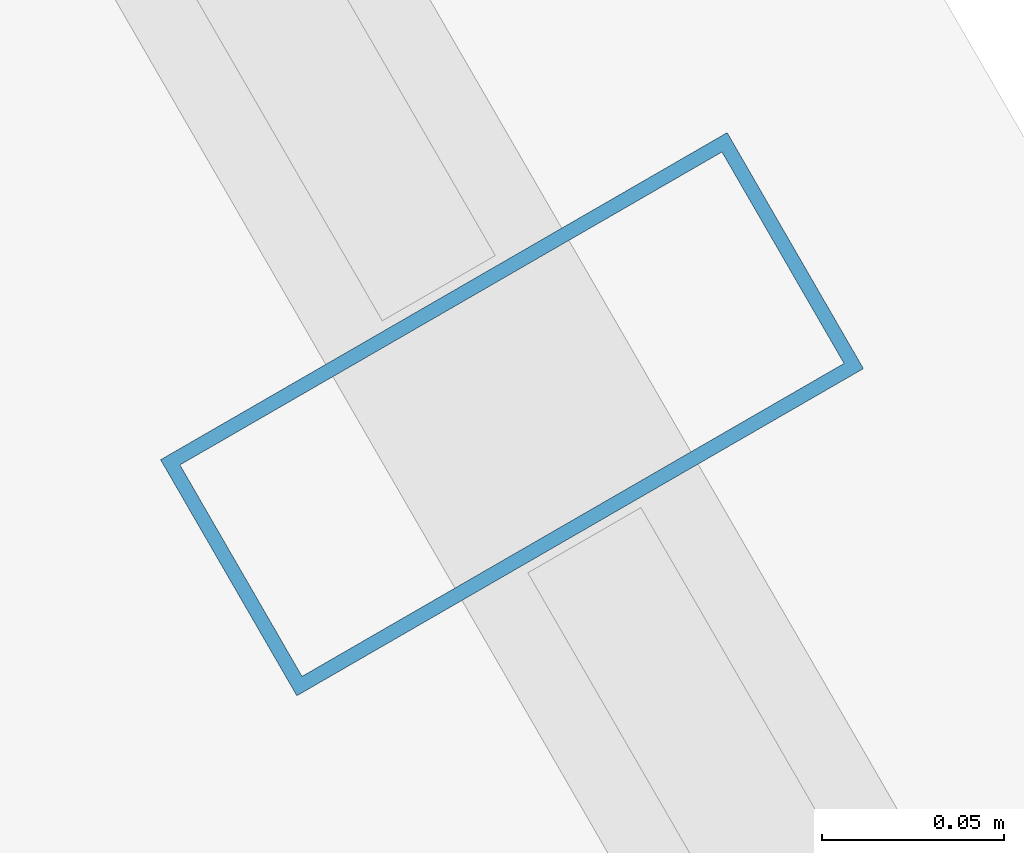
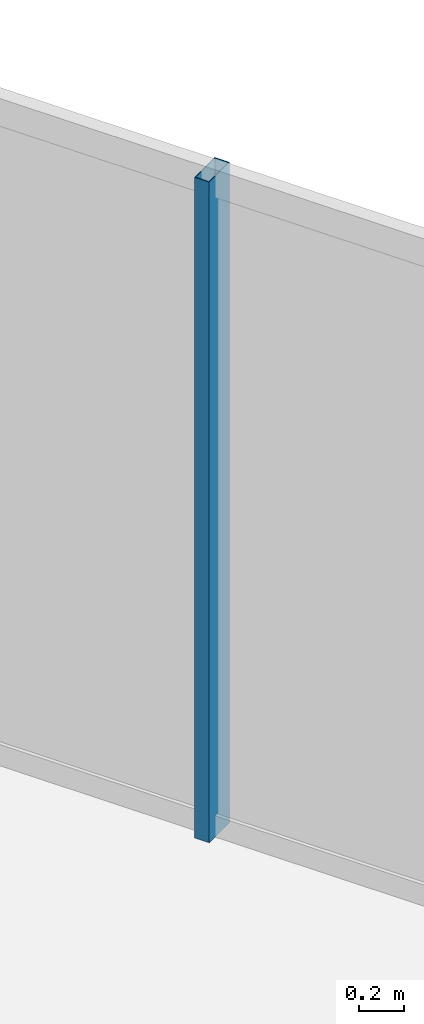
# One storey, part 20 of 33: 1 member, 1 element without a shape of its own.
"""IFC4 building model written with IfcOpenShell, lengths in metres."""

from ifc_helpers import new_model, si_unit, direction, frame, origin, origin_2d, place, context, subcontext, project, spatial, hollow_rectangle, extrude, material, layer, layer_set, material_profile, profile_set, type_object, element, aggregate, save


model = new_model("IFC4")

# Units and contexts
model_context = context("Model", 3, precision=1e-05, world=origin(), true_north=direction((0.0, 1.0)))
body_context = subcontext(model_context, "Body", "Model", "MODEL_VIEW")
ifc_project = project(units=[si_unit("LENGTHUNIT", "METRE"), si_unit("AREAUNIT", "SQUARE_METRE"), si_unit("VOLUMEUNIT", "CUBIC_METRE"), si_unit("PLANEANGLEUNIT", "RADIAN"), si_unit("MASSUNIT", "GRAM", prefix="KILO")], contexts=[model_context])

# Site, building, storey
site_placement = place(None, origin())
site = spatial("IfcSite", under=ifc_project, at=site_placement, CompositionType="ELEMENT")
building_placement = place(site_placement, origin())
building = spatial("IfcBuilding", under=site, at=building_placement, Name="Ndaravel Arena Tower", CompositionType="ELEMENT")
storey_placement = place(building_placement, frame((0.0, 0.0, 153.60009765625)))
storey = spatial("IfcBuildingStorey", under=building, at=storey_placement, Name="L36", CompositionType="ELEMENT", Elevation=153.60009765625)

# Curtain wall, member
ifc_material_1 = material(Name="Aluminium", Category="aluminium")
ifc_layer = layer(ifc_material_1, 0.179931640625)
ifc_layer_set = layer_set([ifc_layer], Name="Aluminium")
curtain_wall_type = type_object("IfcCurtainWallType", Name="CW-SYS-03", PredefinedType="NOTDEFINED", material=ifc_layer_set)
curtain_wall_placement = place(storey_placement, origin())
curtain_wall = element("IfcCurtainWall", 1, at=curtain_wall_placement, inside=storey, type_object=curtain_wall_type, Name="L36 Faceted Crystal Curtain Wall CW-L36-E03", PredefinedType="NOTDEFINED")
ifc_material_2 = material(Name="Aluminium", Category="aluminium")
ifc_material_profile = material_profile(ifc_material_2, hollow_rectangle(XDim=0.074951171875, YDim=0.179931640625, WallThickness=0.00390625, at=origin_2d()), Name="CW MULLION 75x180x4")
ifc_profile_set = profile_set([ifc_material_profile], Name="Aluminium")
member_type = type_object("IfcMemberType", Name="MEM-CW-MUL180", PredefinedType="MULLION", material=ifc_profile_set)
member_placement = place(storey_placement, frame((54.370361328125, 34.4130859375, 0.0), z_axis=(0.0, 0.0, 1.0), x_axis=(-0.5, 0.866025403784, 0.0)))
member = element("IfcMember", 2, at=member_placement, type_object=member_type, Name="CW-L36-E03 Mullion 05", PredefinedType="MULLION", context=body_context, shape_type="SweptSolid", body=[
    extrude(hollow_rectangle(XDim=0.074951171875, YDim=0.179931640625, WallThickness=0.00390625, at=origin_2d()), origin(), (0.0, 0.0, 1.0), 3.579833984375),
])
aggregate(curtain_wall, [member])

save(model, "model.ifc")
